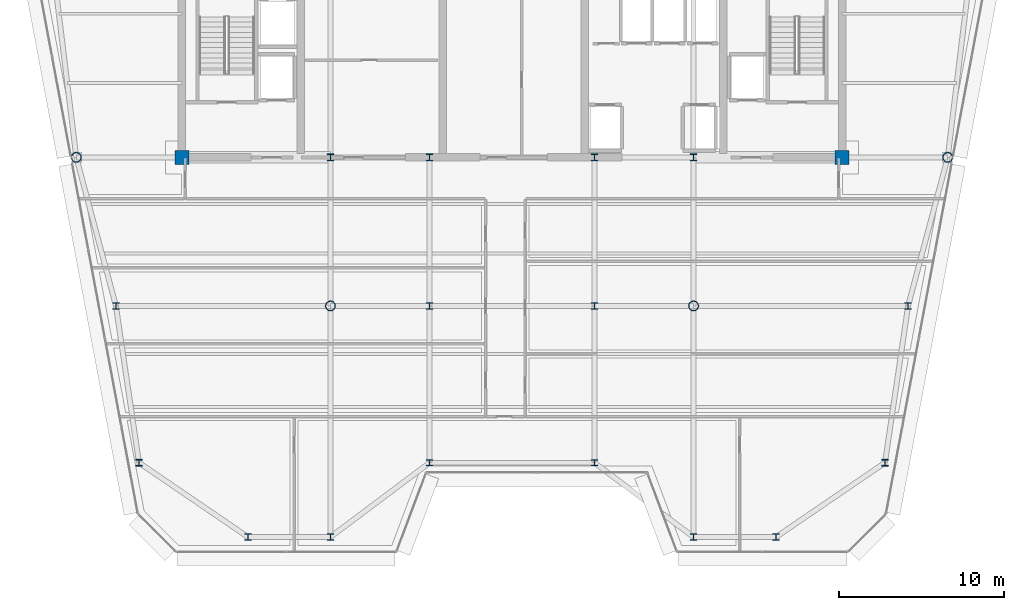
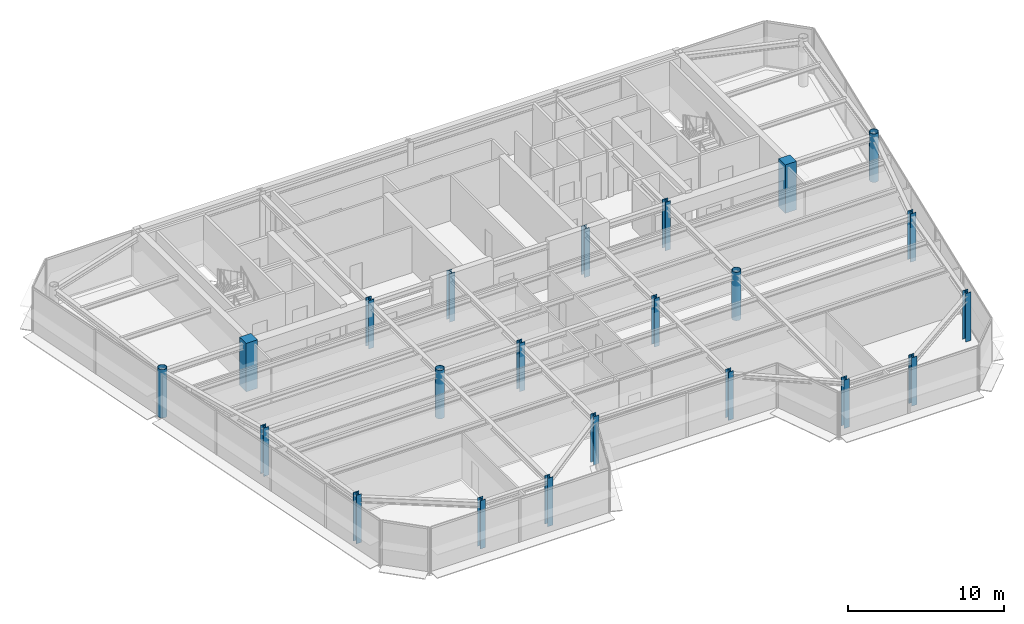
# One storey, part 1 of 20: 22 columns.
"""IFC4 building model written with IfcOpenShell, lengths in metres."""

import ifcopenshell
import ifcopenshell.guid

model = None  # the IFC model being written
_history = None  # IfcOwnerHistory: only IFC2X3 demands one
_inside = {}  # id of a spatial element -> (the spatial element, [elements in it])
_under = {}  # id of a project, library or spatial element -> (it, [spatial elements below it])
_declared = {}  # id of a project -> (the project, [libraries it declares])
_typed = {}  # id of a type object -> (the type object, [elements of that type])
_made_of = {}  # id of a material, layer set ... -> (it, [elements and type objects made of it])


def new_model(schema):
    """Start an empty IFC model of exactly this schema.

    Asked for "IFC4X3", IfcOpenShell would pick the latest addendum, in which some entities
    have other attributes; the version numbers below select the first issue.
    IFC2X3 requires an IfcOwnerHistory on every rooted entity: one is made here for all.
    """
    global model, _history
    if schema == "IFC4X3":
        model = ifcopenshell.file(schema_version=(4, 3, 0, 0))
    else:
        model = ifcopenshell.file(schema=schema)
    _inside.clear()
    _under.clear()
    _declared.clear()
    _typed.clear()
    _made_of.clear()
    _history = None
    if model.schema == "IFC2X3":
        org = make("IfcOrganization", Name="unknown")
        user = make(
            "IfcPersonAndOrganization",
            ThePerson=make("IfcPerson", FamilyName="unknown"),
            TheOrganization=org,
        )
        app = make(
            "IfcApplication",
            ApplicationDeveloper=org,
            Version="unknown",
            ApplicationFullName="unknown",
            ApplicationIdentifier="unknown",
        )
        _history = make(
            "IfcOwnerHistory",
            OwningUser=user,
            OwningApplication=app,
            ChangeAction="ADDED",
            CreationDate=0,
        )
    return model


def make(cls, **values):
    """One entity of the class cls with the attributes given. An attribute that is None is left unset."""
    return model.create_entity(
        cls, **{name: value for name, value in values.items() if value is not None}
    )


def rooted(cls, **values):
    """An entity with a GlobalId (a new one), such as an element, a storey or a relation."""
    return make(cls, GlobalId=ifcopenshell.guid.new(), OwnerHistory=_history, **values)


def si_unit(unit_type, name, prefix=None):
    """IfcSIUnit, for example si_unit("LENGTHUNIT", "METRE", prefix="MILLI")."""
    return make("IfcSIUnit", UnitType=unit_type, Prefix=prefix, Name=name)


def assignment(units):
    """IfcUnitAssignment: the units of a project."""
    return None if units is None else make("IfcUnitAssignment", Units=units)


def point(xyz):
    """IfcCartesianPoint."""
    return None if xyz is None else make("IfcCartesianPoint", Coordinates=xyz)


def direction(xyz):
    """IfcDirection."""
    return None if xyz is None else make("IfcDirection", DirectionRatios=xyz)


def frame(location, z_axis=None, x_axis=None):
    """IfcAxis2Placement3D, a coordinate frame: its origin and axes. An axis left out is left unset."""
    return make(
        "IfcAxis2Placement3D",
        Location=point(location),
        Axis=direction(z_axis),
        RefDirection=direction(x_axis),
    )


def frame_2d(location, x_axis=None):
    """IfcAxis2Placement2D, a coordinate frame in the plane: its origin and x axis."""
    return make(
        "IfcAxis2Placement2D", Location=point(location), RefDirection=direction(x_axis)
    )


def origin():
    """The frame at (0, 0, 0) with its axes left unset."""
    return frame((0.0, 0.0, 0.0))


def origin_2d():
    """The frame at (0, 0) in the plane with its x axis left unset."""
    return frame_2d((0.0, 0.0))


def place(relative_to, where):
    """IfcLocalPlacement: puts the frame where relative to a parent placement (None: the world)."""
    return make(
        "IfcLocalPlacement", PlacementRelTo=relative_to, RelativePlacement=where
    )


def context(
    kind, dimensions, precision=None, world=None, true_north=None, identifier=None
):
    """IfcGeometricRepresentationContext, for example the 3D "Model" context."""
    return make(
        "IfcGeometricRepresentationContext",
        ContextIdentifier=identifier,
        ContextType=kind,
        CoordinateSpaceDimension=dimensions,
        Precision=precision,
        WorldCoordinateSystem=world,
        TrueNorth=true_north,
    )


def subcontext(parent, identifier, kind, view, scale=None):
    """IfcGeometricRepresentationSubContext, for example "Body" below "Model"."""
    return make(
        "IfcGeometricRepresentationSubContext",
        ContextIdentifier=identifier,
        ContextType=kind,
        ParentContext=parent,
        TargetScale=scale,
        TargetView=view,
    )


def project(units=None, contexts=None):
    """IfcProject with its units and contexts."""
    return rooted(
        "IfcProject",
        Name="project",
        RepresentationContexts=contexts,
        UnitsInContext=assignment(units),
    )


def spatial(cls, under=None, at=None, **own):
    """A site, building, storey or space (cls), placed at a placement, below another one or the project."""
    s = rooted(cls, ObjectPlacement=at, **own)
    if under is not None:
        _under.setdefault(under.id(), (under, []))[1].append(s)
    return s


def profile(cls, at=None, kind="AREA", **sizes):
    """A parametric profile (cls). Its sizes go by their IFC names, for example OverallWidth=200.0."""
    return make(cls, ProfileType=kind, Position=at, **sizes)


def rectangle(**sizes):
    """IfcRectangleProfileDef."""
    return profile("IfcRectangleProfileDef", **sizes)


def hollow_circle(**sizes):
    """IfcCircleHollowProfileDef."""
    return profile("IfcCircleHollowProfileDef", **sizes)


def i_section(**sizes):
    """IfcIShapeProfileDef."""
    return profile("IfcIShapeProfileDef", **sizes)


def extrude(swept, where, along, depth):
    """IfcExtrudedAreaSolid: the profile swept, set in the frame where, extruded along a direction by depth."""
    return make(
        "IfcExtrudedAreaSolid",
        SweptArea=swept,
        Position=where,
        ExtrudedDirection=direction(along),
        Depth=depth,
    )


def shape(context_of_items, identifier, shape_type, items):
    """IfcShapeRepresentation: the items that make up one representation, for example the "Body"."""
    return make(
        "IfcShapeRepresentation",
        ContextOfItems=context_of_items,
        RepresentationIdentifier=identifier,
        RepresentationType=shape_type,
        Items=items,
    )


def source(mapping_origin, context_of_items, identifier, shape_type, items):
    """IfcRepresentationMap: a shape defined once, which mapped items show again and again."""
    return make(
        "IfcRepresentationMap",
        MappingOrigin=mapping_origin,
        MappedRepresentation=shape(context_of_items, identifier, shape_type, items),
    )


def transform(
    local_origin,
    x_axis=None,
    y_axis=None,
    z_axis=None,
    scale=None,
    scale2=None,
    scale3=None,
    uniform=True,
):
    """IfcCartesianTransformationOperator3D, or its non-uniform kind. x_axis, y_axis, z_axis: its Axis1, 2, 3."""
    if uniform:
        return make(
            "IfcCartesianTransformationOperator3D",
            Axis1=direction(x_axis),
            Axis2=direction(y_axis),
            LocalOrigin=point(local_origin),
            Scale=scale,
            Axis3=direction(z_axis),
        )
    return make(
        "IfcCartesianTransformationOperator3DnonUniform",
        Axis1=direction(x_axis),
        Axis2=direction(y_axis),
        LocalOrigin=point(local_origin),
        Scale=scale,
        Axis3=direction(z_axis),
        Scale2=scale2,
        Scale3=scale3,
    )


def mapped(mapping_source, mapping_target):
    """IfcMappedItem: shows the shape of a source again, moved by a transform."""
    return make(
        "IfcMappedItem", MappingSource=mapping_source, MappingTarget=mapping_target
    )


def material(Name=None, Category=None):
    """IfcMaterial."""
    return make("IfcMaterial", Name=Name, Category=Category)


def material_profile(
    of_material, cross_section, Name=None, Category=None, Priority=None
):
    """IfcMaterialProfile: a cross section and its material."""
    return make(
        "IfcMaterialProfile",
        Name=Name,
        Material=of_material,
        Profile=cross_section,
        Priority=Priority,
        Category=Category,
    )


def profile_set(profiles, Name=None, composite=None):
    """IfcMaterialProfileSet."""
    return make(
        "IfcMaterialProfileSet",
        Name=Name,
        MaterialProfiles=profiles,
        CompositeProfile=composite,
    )


def made_of(thing, what):
    """Note that an element or type object is made of a material, layer set ...; save() writes the relation."""
    if what is not None:
        _made_of.setdefault(what.id(), (what, []))[1].append(thing)
    return thing


def type_object(cls, material=None, **own):
    """A type object (cls), such as IfcWallType, which elements share."""
    return made_of(rooted(cls, **own), material)


def element(
    cls,
    number,
    at=None,
    inside=None,
    cuts=None,
    type_object=None,
    material=None,
    context=None,
    identifier="Body",
    shape_type=None,
    held_by="IfcProductDefinitionShape",
    body=None,
    shapes=None,
    **own,
):
    """One element of the class cls, such as IfcWall. Its Tag is "e" and its number.

    at: its placement. inside: the storey or other place that contains it. cuts: it is an
    opening in that element (IfcRelVoidsElement). A single representation is given by context,
    identifier, shape_type and body (its items); several are given by shapes. held_by: the class
    of the entity that holds the representations. save() writes the other relations.
    """
    e = rooted(cls, Tag="e%d" % number, ObjectPlacement=at, **own)
    if body is not None:
        shapes = [shape(context, identifier, shape_type, body)]
    if shapes is not None:
        e.Representation = make(held_by, Representations=shapes)
    if inside is not None:
        _inside.setdefault(inside.id(), (inside, []))[1].append(e)
    if cuts is not None:
        rooted(
            "IfcRelVoidsElement", RelatingBuildingElement=cuts, RelatedOpeningElement=e
        )
    if type_object is not None:
        _typed.setdefault(type_object.id(), (type_object, []))[1].append(e)
    return made_of(e, material)


def aggregate(whole, parts):
    """IfcRelAggregates: a whole, such as a stair, and the parts it consists of."""
    return rooted("IfcRelAggregates", RelatingObject=whole, RelatedObjects=parts)


def save(model, path):
    """Write the relations noted so far, then the file.

    IfcRelAggregates (storeys below a building ...), IfcRelContainedInSpatialStructure (elements
    in a storey), IfcRelDefinesByType, IfcRelAssociatesMaterial and IfcRelDeclares: one each for
    every whole, place, type object, material and project.
    """
    for whole, parts in _under.values():
        aggregate(whole, parts)
    for where, things in _inside.values():
        rooted(
            "IfcRelContainedInSpatialStructure",
            RelatedElements=things,
            RelatingStructure=where,
        )
    for kind, things in _typed.values():
        rooted("IfcRelDefinesByType", RelatedObjects=things, RelatingType=kind)
    for what, things in _made_of.values():
        rooted("IfcRelAssociatesMaterial", RelatedObjects=things, RelatingMaterial=what)
    for by, libraries in _declared.values():
        rooted("IfcRelDeclares", RelatingContext=by, RelatedDefinitions=libraries)
    model.write(path)


model = new_model("IFC4")

# Units and contexts
model_context = context("Model", 3, precision=1e-05, world=origin(), true_north=direction((0.0, 1.0)))
body_context = subcontext(model_context, "Body", "Model", "MODEL_VIEW")
ifc_project = project(units=[si_unit("LENGTHUNIT", "METRE"), si_unit("AREAUNIT", "SQUARE_METRE"), si_unit("VOLUMEUNIT", "CUBIC_METRE"), si_unit("PLANEANGLEUNIT", "RADIAN"), si_unit("MASSUNIT", "GRAM", prefix="KILO")], contexts=[model_context])

# Site, building, storey
site_placement = place(None, origin())
site = spatial("IfcSite", under=ifc_project, at=site_placement, CompositionType="ELEMENT")
building_placement = place(site_placement, origin())
building = spatial("IfcBuilding", under=site, at=building_placement, Name="Vaeldorn Concourse Tower", CompositionType="ELEMENT")
storey_placement = place(building_placement, frame((0.0, 0.0, 291.60009765625)))
storey = spatial("IfcBuildingStorey", under=building, at=storey_placement, Name="L75", CompositionType="ELEMENT", Elevation=291.60009765625)

# Columns
ifc_material_1 = material(Name="Concrete C50/60", Category="concrete")
ifc_material_profile_1 = material_profile(ifc_material_1, rectangle(XDim=0.85009765625, YDim=0.85009765625, at=origin_2d()), Name="RC 850x850")
ifc_profile_set_1 = profile_set([ifc_material_profile_1], Name="Concrete C50/60")
column_type_1 = type_object("IfcColumnType", Name="COL-RC850", PredefinedType="COLUMN", material=ifc_profile_set_1)
shared_shape_1 = source(origin(), body_context, "Body", "SweptSolid", [
    extrude(rectangle(XDim=0.85009765625, YDim=0.85009765625, at=origin_2d()), origin(), (0.0, 0.0, 1.0), 3.7998046875),
])
for number, where, z_axis, x_axis, name in (
    (1, (14.0, 36.5, 0.0), (0.0, 0.0, 1.0), (1.0, 0.0, 0.0), "Column C-FC1 L75"),
    (2, (54.0, 36.5, 0.0), (0.0, 0.0, 1.0), (1.0, 0.0, 0.0), "Column C-FC6 L75"),
):
    element("IfcColumn", number, at=place(storey_placement, frame(where, z_axis=z_axis, x_axis=x_axis)), inside=storey, type_object=column_type_1, Name=name, PredefinedType="COLUMN", context=body_context, shape_type="MappedRepresentation", body=[
        mapped(shared_shape_1, transform((0.0, 0.0, 0.0), scale=1.0)),
    ])
ifc_material_2 = material(Name="Steel S355", Category="steel")
ifc_material_profile_2 = material_profile(ifc_material_2, i_section(OverallWidth=0.406005859375, OverallDepth=0.416015625, WebThickness=0.02978515625, FlangeThickness=0.0419921875, FilletRadius=0.014892578125, at=origin_2d()), Name="HD 400x382")
ifc_profile_set_2 = profile_set([ifc_material_profile_2], Name="Steel S355")
column_type_2 = type_object("IfcColumnType", Name="COL-HD382", PredefinedType="COLUMN", material=ifc_profile_set_2)
shared_shape_2 = source(origin(), body_context, "Body", "SweptSolid", [
    extrude(i_section(OverallWidth=0.406005859375, OverallDepth=0.416015625, WebThickness=0.02978515625, FlangeThickness=0.0419921875, FilletRadius=0.014892578125, at=origin_2d()), origin(), (0.0, 0.0, 1.0), 3.7998046875),
])
for number, where, z_axis, x_axis, name in (
    (3, (23.0, 36.5, 0.0), (0.0, 0.0, 1.0), (1.0, 0.0, 0.0), "Column C-FC2 L75"),
    (4, (29.0, 36.5, 0.0), (0.0, 0.0, 1.0), (1.0, 0.0, 0.0), "Column C-FC3 L75"),
    (5, (39.0, 36.5, 0.0), (0.0, 0.0, 1.0), (1.0, 0.0, 0.0), "Column C-FC4 L75"),
    (6, (45.0, 36.5, 0.0), (0.0, 0.0, 1.0), (1.0, 0.0, 0.0), "Column C-FC5 L75"),
):
    element("IfcColumn", number, at=place(storey_placement, frame(where, z_axis=z_axis, x_axis=x_axis)), inside=storey, type_object=column_type_2, Name=name, PredefinedType="COLUMN", context=body_context, shape_type="MappedRepresentation", body=[
        mapped(shared_shape_2, transform((0.0, 0.0, 0.0), scale=1.0)),
    ])
ifc_material_profile_3 = material_profile(ifc_material_2, hollow_circle(Radius=0.304931640625, WallThickness=0.030029296875, at=origin_2d()), Name="CHS 610x30")
ifc_profile_set_3 = profile_set([ifc_material_profile_3], Name="Steel S355")
column_type_3 = type_object("IfcColumnType", Name="COL-CHS610", PredefinedType="COLUMN", material=ifc_profile_set_3)
shared_shape_3 = source(origin(), body_context, "Body", "SweptSolid", [
    extrude(hollow_circle(Radius=0.304931640625, WallThickness=0.030029296875, at=origin_2d()), origin(), (0.0, 0.0, 1.0), 3.7998046875),
])
for number, where, z_axis, x_axis, name in (
    (7, (7.60009765625, 36.5, 0.0), (0.0, 0.0, 1.0), (1.0, 0.0, 0.0), "Column C-NW2 L75"),
    (8, (60.39990234375, 36.5, 0.0), (0.0, 0.0, 1.0), (1.0, 0.0, 0.0), "Column C-NE2 L75"),
    (9, (23.0, 27.5, 0.0), (0.0, 0.0, 1.0), (1.0, 0.0, 0.0), "Column C-TW1 L75"),
    (10, (45.0, 27.5, 0.0), (0.0, 0.0, 1.0), (1.0, 0.0, 0.0), "Column C-TW4 L75"),
):
    element("IfcColumn", number, at=place(storey_placement, frame(where, z_axis=z_axis, x_axis=x_axis)), inside=storey, type_object=column_type_3, Name=name, PredefinedType="COLUMN", context=body_context, shape_type="MappedRepresentation", body=[
        mapped(shared_shape_3, transform((0.0, 0.0, 0.0), scale=1.0)),
    ])
ifc_material_profile_4 = material_profile(ifc_material_2, i_section(OverallWidth=0.40087890625, OverallDepth=0.39892578125, WebThickness=0.02490234375, FlangeThickness=0.034912109375, FilletRadius=0.014892578125, at=origin_2d()), Name="HD 400x314")
ifc_profile_set_4 = profile_set([ifc_material_profile_4], Name="Steel S355")
column_type_4 = type_object("IfcColumnType", Name="COL-HD314F", PredefinedType="COLUMN", material=ifc_profile_set_4)
shared_shape_4 = source(origin(), body_context, "Body", "SweptSolid", [
    extrude(i_section(OverallWidth=0.40087890625, OverallDepth=0.39892578125, WebThickness=0.02490234375, FlangeThickness=0.034912109375, FilletRadius=0.014892578125, at=origin_2d()), origin(), (0.0, 0.0, 1.0), 3.7998046875),
])
for number, where, z_axis, x_axis, name in (
    (11, (10.0, 27.5, 0.0), (0.0, 0.0, 1.0), (1.0, 0.0, 0.0), "Column C-FLW1 L75"),
    (12, (11.39990234375, 18.0, 0.0), (0.0, 0.0, 1.0), (1.0, 0.0, 0.0), "Column C-FLW2 L75"),
    (13, (58.0, 27.5, 0.0), (0.0, 0.0, 1.0), (1.0, 0.0, 0.0), "Column C-FLE1 L75"),
    (14, (56.60009765625, 18.0, 0.0), (0.0, 0.0, 1.0), (1.0, 0.0, 0.0), "Column C-FLE2 L75"),
):
    element("IfcColumn", number, at=place(storey_placement, frame(where, z_axis=z_axis, x_axis=x_axis)), inside=storey, type_object=column_type_4, Name=name, PredefinedType="COLUMN", context=body_context, shape_type="MappedRepresentation", body=[
        mapped(shared_shape_4, transform((0.0, 0.0, 0.0), scale=1.0)),
    ])
ifc_material_profile_5 = material_profile(ifc_material_2, i_section(OverallWidth=0.39794921875, OverallDepth=0.386962890625, WebThickness=0.0205078125, FlangeThickness=0.029052734375, FilletRadius=0.014892578125, at=origin_2d()), Name="HD 400x262")
ifc_profile_set_5 = profile_set([ifc_material_profile_5], Name="Steel S355")
column_type_5 = type_object("IfcColumnType", Name="COL-HD262T", PredefinedType="COLUMN", material=ifc_profile_set_5)
shared_shape_5 = source(origin(), body_context, "Body", "SweptSolid", [
    extrude(i_section(OverallWidth=0.39794921875, OverallDepth=0.386962890625, WebThickness=0.0205078125, FlangeThickness=0.029052734375, FilletRadius=0.014892578125, at=origin_2d()), origin(), (0.0, 0.0, 1.0), 3.7998046875),
])
for number, where, z_axis, x_axis, name in (
    (15, (29.0, 27.5, 0.0), (0.0, 0.0, 1.0), (1.0, 0.0, 0.0), "Column C-TW2 L75"),
    (16, (39.0, 27.5, 0.0), (0.0, 0.0, 1.0), (1.0, 0.0, 0.0), "Column C-TW3 L75"),
    (17, (18.0, 13.5, 0.0), (0.0, 0.0, 1.0), (1.0, 0.0, 0.0), "Column C-SF1 L75"),
    (18, (23.0, 13.5, 0.0), (0.0, 0.0, 1.0), (1.0, 0.0, 0.0), "Column C-SF2 L75"),
    (19, (29.0, 18.0, 0.0), (0.0, 0.0, 1.0), (1.0, 0.0, 0.0), "Column C-SF3 L75"),
    (20, (39.0, 18.0, 0.0), (0.0, 0.0, 1.0), (1.0, 0.0, 0.0), "Column C-SF4 L75"),
    (21, (45.0, 13.5, 0.0), (0.0, 0.0, 1.0), (1.0, 0.0, 0.0), "Column C-SF5 L75"),
    (22, (50.0, 13.5, 0.0), (0.0, 0.0, 1.0), (1.0, 0.0, 0.0), "Column C-SF6 L75"),
):
    element("IfcColumn", number, at=place(storey_placement, frame(where, z_axis=z_axis, x_axis=x_axis)), inside=storey, type_object=column_type_5, Name=name, PredefinedType="COLUMN", context=body_context, shape_type="MappedRepresentation", body=[
        mapped(shared_shape_5, transform((0.0, 0.0, 0.0), scale=1.0)),
    ])

save(model, "model.ifc")
